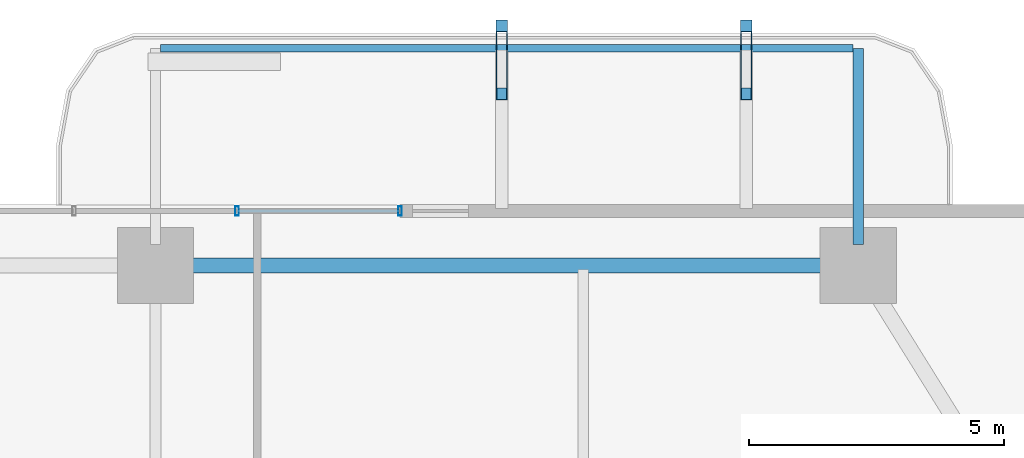
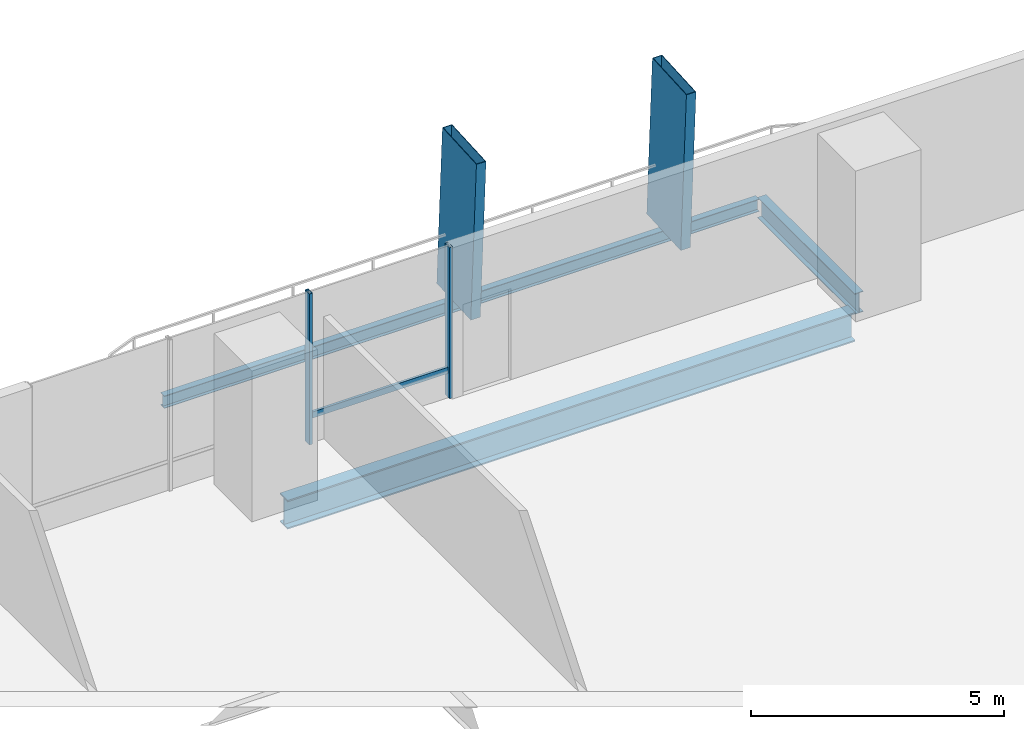
# One storey, part 15 of 23: 5 members, 3 beams, 1 element without a shape of its own.
"""IFC4 building model written with IfcOpenShell, lengths in metres."""

from ifc_helpers import new_model, si_unit, direction, frame, origin, origin_2d, place, context, subcontext, project, spatial, hollow_rectangle, i_section, extrude, material, layer, layer_set, material_profile, profile_set, type_object, element, aggregate, save


model = new_model("IFC4")

# Units and contexts
model_context = context("Model", 3, precision=1e-05, world=origin(), true_north=direction((0.0, 1.0)))
body_context = subcontext(model_context, "Body", "Model", "MODEL_VIEW")
ifc_project = project(units=[si_unit("LENGTHUNIT", "METRE"), si_unit("AREAUNIT", "SQUARE_METRE"), si_unit("VOLUMEUNIT", "CUBIC_METRE"), si_unit("PLANEANGLEUNIT", "RADIAN"), si_unit("MASSUNIT", "GRAM", prefix="KILO")], contexts=[model_context])

# Site, building, storey
site_placement = place(None, origin())
site = spatial("IfcSite", under=ifc_project, at=site_placement, CompositionType="ELEMENT")
building_placement = place(site_placement, origin())
building = spatial("IfcBuilding", under=site, at=building_placement, Name="Belovzor Exchange Tower", CompositionType="ELEMENT")
storey_placement = place(building_placement, frame((0.0, 0.0, 41.699951171875)))
storey = spatial("IfcBuildingStorey", under=building, at=storey_placement, Name="L09", CompositionType="ELEMENT", Elevation=41.699951171875)

# Members
ifc_material_1 = material(Name="Extruded Architectural Terracotta on Steel S355 Carrier", Category="masonry")
ifc_material_profile_1 = material_profile(ifc_material_1, hollow_rectangle(XDim=0.219970703125, YDim=1.35009765625, WallThickness=0.013916015625, at=origin_2d()))
ifc_profile_set_1 = profile_set([ifc_material_profile_1], Name="Extruded Architectural Terracotta on Steel S355 Carrier")
member_type_1 = type_object("IfcMemberType", Name="Base Arc Sweeping Terracotta Pylon Fin 1450", PredefinedType="USERDEFINED", material=ifc_profile_set_1)
for number, where, z_axis, x_axis, name in (
    (1, (35.60009765625, 59.64599609375, -0.25), (0.0, -0.057619293609, 0.998338628424), (1.0, 0.0, 0.0), "FIN-TC145 Terracotta Facade Fin L09 N3"),
    (2, (40.39990234375, 59.64599609375, -0.25), (0.0, -0.057619293609, 0.998338628424), (1.0, 0.0, 0.0), "FIN-TC145 Terracotta Facade Fin L09 N4"),
):
    element("IfcMember", number, at=place(storey_placement, frame(where, z_axis=z_axis, x_axis=x_axis)), inside=storey, type_object=member_type_1, Name=name, ObjectType="FIN", PredefinedType="USERDEFINED", context=body_context, shape_type="SweptSolid", body=[
        extrude(hollow_rectangle(XDim=0.219970703125, YDim=1.35009765625, WallThickness=0.013916015625, at=origin_2d()), origin(), (0.0, 0.0, 1.0), 3.90673828125),
    ])

# Beams
ifc_material_2 = material(Name="Steel S355", Category="steel")
ifc_material_profile_2 = material_profile(ifc_material_2, i_section(OverallWidth=0.199951171875, OverallDepth=0.5, WebThickness=0.01025390625, FlangeThickness=0.01611328125, at=origin_2d()))
ifc_profile_set_2 = profile_set([ifc_material_profile_2], Name="Steel S355")
beam_type_1 = type_object("IfcBeamType", Name="Planted Balcony Cantilever Beam IPE 500", PredefinedType="BEAM", material=ifc_profile_set_2)
beam_1_placement = place(storey_placement, frame((42.60009765625, 55.9130859375, -0.5), z_axis=(0.0, 1.0, 0.0), x_axis=(-1.0, 0.0, 0.0)))
element("IfcBeam", 3, at=beam_1_placement, inside=storey, type_object=beam_type_1, Name="BC-500 Planted Balcony Cantilever Beam IPE 500", PredefinedType="BEAM", context=body_context, shape_type="SweptSolid", body=[
    extrude(i_section(OverallWidth=0.199951171875, OverallDepth=0.5, WebThickness=0.01025390625, FlangeThickness=0.01611328125, at=origin_2d()), origin(), (0.0, 0.0, 1.0), 3.849853515625),
])
ifc_material_3 = material(Name="Steel S355", Category="steel")
ifc_material_profile_3 = material_profile(ifc_material_3, i_section(OverallWidth=0.14990234375, OverallDepth=0.300048828125, WebThickness=0.007080078125, FlangeThickness=0.0107421875, at=origin_2d()))
ifc_profile_set_3 = profile_set([ifc_material_profile_3], Name="Steel S355")
beam_type_2 = type_object("IfcBeamType", Name="Planted Balcony Fascia Edge Beam IPE 300", PredefinedType="BEAM", material=ifc_profile_set_3)
beam_2_placement = place(storey_placement, frame((42.5, 59.762939453125, -0.39990234375), z_axis=(-1.0, 0.0, 0.0), x_axis=(0.0, -1.0, 0.0)))
element("IfcBeam", 4, at=beam_2_placement, inside=storey, type_object=beam_type_2, Name="BC-300 Planted Balcony Fascia Edge Beam IPE 300", PredefinedType="BEAM", context=body_context, shape_type="SweptSolid", body=[
    extrude(i_section(OverallWidth=0.14990234375, OverallDepth=0.300048828125, WebThickness=0.007080078125, FlangeThickness=0.0107421875, at=origin_2d()), origin(), (0.0, 0.0, 1.0), 13.60009765625),
])

# Curtain wall, members
ifc_material_4 = material(Name="Anodised Aluminium Framing", Category="aluminium")
ifc_layer = layer(ifc_material_4, 0.179931640625)
ifc_layer_set = layer_set([ifc_layer], Name="Anodised Aluminium Framing")
curtain_wall_type = type_object("IfcCurtainWallType", Name="Recessed Loggia Low-Iron Triple-Glazed Curtain Wall", PredefinedType="NOTDEFINED", material=ifc_layer_set)
curtain_wall_placement = place(storey_placement, origin())
curtain_wall = element("IfcCurtainWall", 5, at=curtain_wall_placement, inside=storey, type_object=curtain_wall_type, Name="CW3 Recessed Loggia Low-Iron Triple-Glazed Curtain Wall L09", PredefinedType="NOTDEFINED")
ifc_material_5 = material(Name="Steel S355", Category="steel")
ifc_material_profile_4 = material_profile(ifc_material_5, hollow_rectangle(XDim=0.074951171875, YDim=0.179931640625, WallThickness=0.0048828125, at=origin_2d()))
ifc_profile_set_4 = profile_set([ifc_material_profile_4], Name="Steel S355")
member_type_2 = type_object("IfcMemberType", Name="Thermally Broken Curtain Wall Mullion 180x75", PredefinedType="MULLION", material=ifc_profile_set_4)
member_1_placement = place(storey_placement, frame((30.39990234375, 56.570068359375, 0.0), z_axis=(0.0, 0.0, 1.0), x_axis=(1.0, 0.0, 0.0)))
member_1 = element("IfcMember", 6, at=member_1_placement, type_object=member_type_2, Name="CW-M180 Curtain Wall Mullion 3", PredefinedType="MULLION", context=body_context, shape_type="SweptSolid", body=[
    extrude(hollow_rectangle(XDim=0.074951171875, YDim=0.179931640625, WallThickness=0.0048828125, at=origin_2d()), origin(), (0.0, 0.0, 1.0), 3.650146484375),
])
member_2_placement = place(storey_placement, frame((33.60009765625, 56.570068359375, 0.0), z_axis=(0.0, 0.0, 1.0), x_axis=(1.0, 0.0, 0.0)))
member_2 = element("IfcMember", 7, at=member_2_placement, type_object=member_type_2, Name="CW-M180 Curtain Wall Mullion 4", PredefinedType="MULLION", context=body_context, shape_type="SweptSolid", body=[
    extrude(hollow_rectangle(XDim=0.074951171875, YDim=0.179931640625, WallThickness=0.0048828125, at=origin_2d()), origin(), (0.0, 0.0, 1.0), 3.650146484375),
])
ifc_material_6 = material(Name="Steel S355", Category="steel")
ifc_material_profile_5 = material_profile(ifc_material_6, hollow_rectangle(XDim=0.06005859375, YDim=0.14990234375, WallThickness=0.00390625, at=origin_2d()))
ifc_profile_set_5 = profile_set([ifc_material_profile_5], Name="Steel S355")
member_type_3 = type_object("IfcMemberType", Name="Thermally Broken Curtain Wall Transom 150x60", PredefinedType="USERDEFINED", material=ifc_profile_set_5)
member_3_placement = place(storey_placement, frame((30.407958984375, 56.570068359375, 0.650146484375), z_axis=(1.0, 0.0, 0.0), x_axis=(0.0, 1.0, 0.0)))
member_3 = element("IfcMember", 8, at=member_3_placement, type_object=member_type_3, Name="CW-T150 Curtain Wall Transom 3", ObjectType="TRANSOM", PredefinedType="USERDEFINED", context=body_context, shape_type="SweptSolid", body=[
    extrude(hollow_rectangle(XDim=0.06005859375, YDim=0.14990234375, WallThickness=0.00390625, at=origin_2d()), origin(), (0.0, 0.0, 1.0), 3.18408203125),
])
aggregate(curtain_wall, [member_1, member_2, member_3])

# Beam
ifc_material_7 = material(Name="Steel S355", Category="steel")
ifc_material_profile_6 = material_profile(ifc_material_7, i_section(OverallWidth=0.300048828125, OverallDepth=0.699951171875, WebThickness=0.01708984375, FlangeThickness=0.031982421875, at=origin_2d()))
ifc_profile_set_6 = profile_set([ifc_material_profile_6], Name="Steel S355")
beam_type_3 = type_object("IfcBeamType", Name="Zone 1 Primary Perimeter Girder HEB 700", PredefinedType="BEAM", material=ifc_profile_set_6)
beam_3_placement = place(storey_placement, frame((42.18798828125, 55.5, -0.599853515625), z_axis=(-1.0, 0.0, 0.0), x_axis=(0.0, -1.0, 0.0)))
element("IfcBeam", 9, at=beam_3_placement, inside=storey, type_object=beam_type_3, Name="FG-Z1 Zone 1 Primary Perimeter Girder HEB 700", PredefinedType="BEAM", context=body_context, shape_type="SweptSolid", body=[
    extrude(i_section(OverallWidth=0.300048828125, OverallDepth=0.699951171875, WebThickness=0.01708984375, FlangeThickness=0.031982421875, at=origin_2d()), origin(), (0.0, 0.0, 1.0), 12.97509765625),
])

save(model, "model.ifc")
